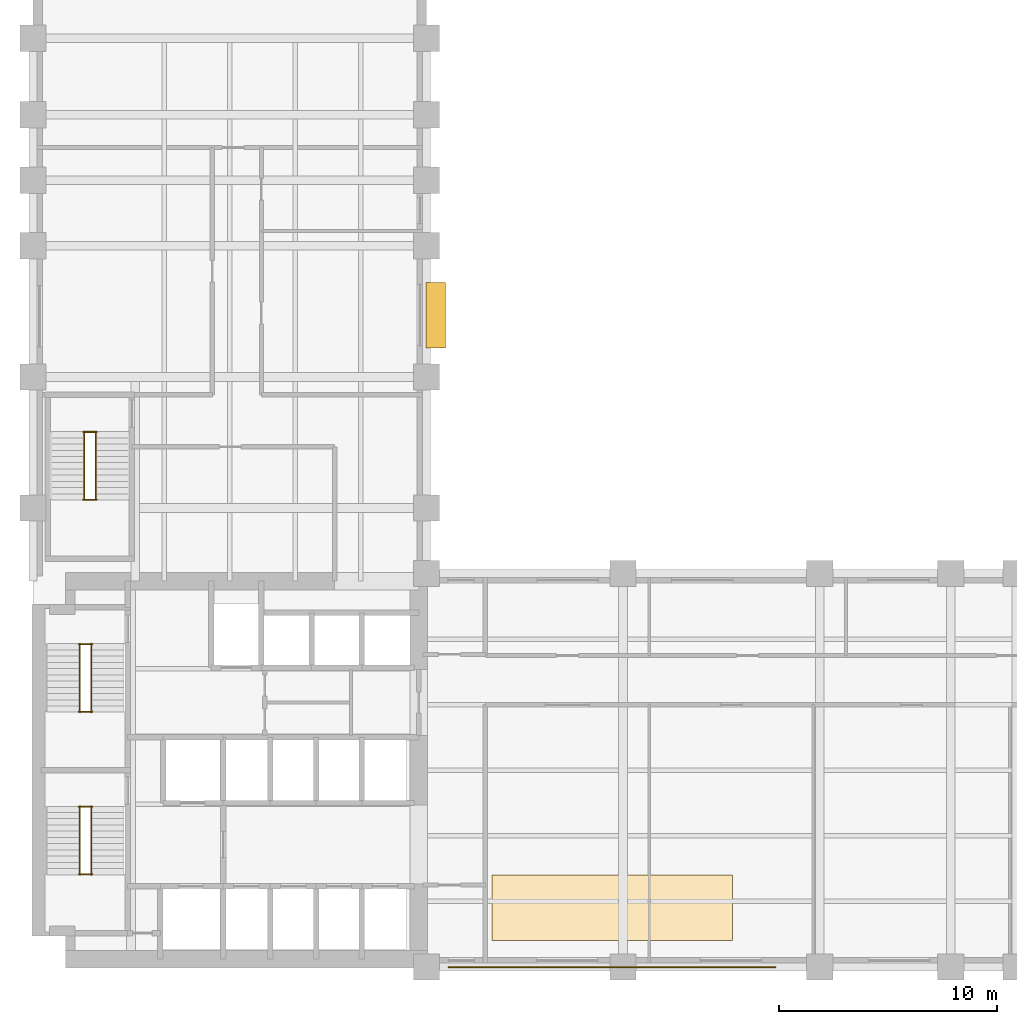
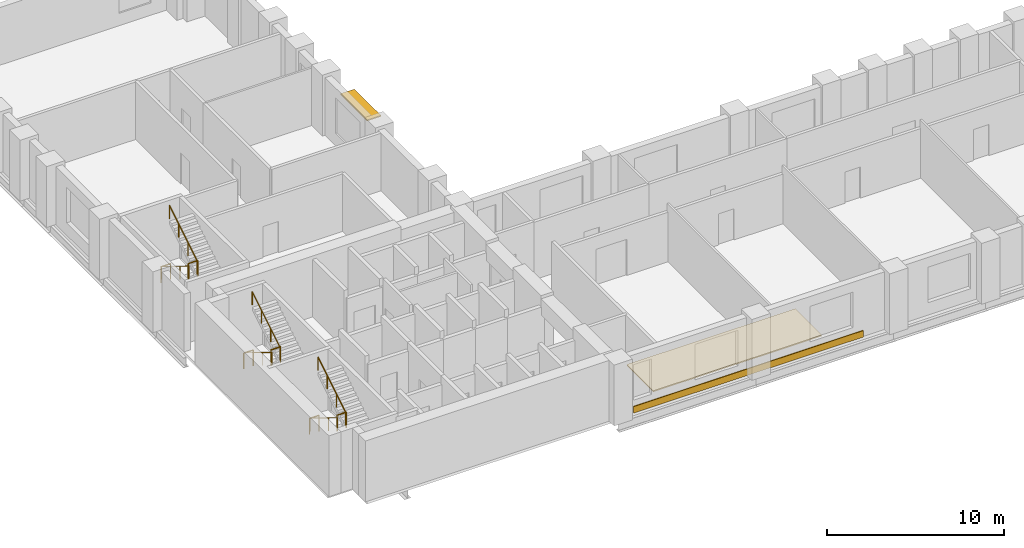
# One storey, part 7 of 8: 12 railings, 2 coverings, 1 shading device.
"""IFC4 building model written with IfcOpenShell, lengths in metres."""

from ifc_helpers import new_model, si_unit, direction, frame, origin, origin_2d, place, context, subcontext, project, spatial, polyline, rectangle, circle, outline, extrude, material, layer, layer_set, type_object, element, save


model = new_model("IFC4")

# Units and contexts
model_context = context("Model", 3, precision=1e-05, world=origin(), true_north=direction((0.0, 1.0)))
body_context = subcontext(model_context, "Body", "Model", "MODEL_VIEW")
ifc_project = project(units=[si_unit("LENGTHUNIT", "METRE"), si_unit("AREAUNIT", "SQUARE_METRE"), si_unit("VOLUMEUNIT", "CUBIC_METRE"), si_unit("PLANEANGLEUNIT", "RADIAN"), si_unit("MASSUNIT", "GRAM", prefix="KILO")], contexts=[model_context])

# Site, building, storey
site_placement = place(None, origin())
site = spatial("IfcSite", under=ifc_project, at=site_placement, CompositionType="ELEMENT")
building_placement = place(site_placement, origin())
building = spatial("IfcBuilding", under=site, at=building_placement, Name="Mawjdan Bourse Tower", CompositionType="ELEMENT")
storey_placement = place(building_placement, frame((0.0, 0.0, 63.60009765625)))
storey = spatial("IfcBuildingStorey", under=building, at=storey_placement, Name="L14", CompositionType="ELEMENT", Elevation=63.60009765625)

# Coverings
ifc_material_1 = material(Name="Honed Qatari Limestone Coping", Category="masonry")
ifc_layer_1 = layer(ifc_material_1, 0.054931640625)
ifc_layer_set_1 = layer_set([ifc_layer_1], Name="Honed Qatari Limestone Coping")
covering_type_1 = type_object("IfcCoveringType", Name="COV-CLD-SPN", PredefinedType="CLADDING", material=ifc_layer_set_1)
covering_1_placement = place(storey_placement, origin())
element("IfcCovering", 1, at=covering_1_placement, inside=storey, type_object=covering_type_1, Name="L14 Limestone Spandrel Coping Trim", PredefinedType="CLADDING", context=body_context, shape_type="SweptSolid", body=[
    extrude(outline(polyline([(25.0, 2.949951171875), (40.0, 2.949951171875), (40.0, 3.010009765625), (25.0, 3.010009765625), (25.0, 2.949951171875)])), origin(), (0.0, 0.0, 1.0), 0.449951171875),
])
ifc_material_2 = material(Name="Calcium Sulphate Antistatic Raised Floor Tile")
ifc_layer_2 = layer(ifc_material_2, 0.080078125)
ifc_layer_set_2 = layer_set([ifc_layer_2], Name="Calcium Sulphate Antistatic Raised Floor Tile")
covering_type_2 = type_object("IfcCoveringType", Name="COV-FLR-450", PredefinedType="FLOORING", material=ifc_layer_set_2)
covering_2_placement = place(storey_placement, origin())
element("IfcCovering", 2, at=covering_2_placement, inside=storey, type_object=covering_type_2, Name="L14 Antistatic Raised Access Trading Floor", PredefinedType="FLOORING", context=body_context, shape_type="SweptSolid", body=[
    extrude(outline(polyline([(27.0, 4.199951171875), (38.0, 4.199951171875), (38.0, 7.199951171875), (27.0, 7.199951171875), (27.0, 4.199951171875)])), origin(), (0.0, 0.0, 1.0), 0.079833984375),
])

# Railings
ifc_material_3 = material(Name="Structural Steel S355", Category="steel")
railing_type_1 = type_object("IfcRailingType", Name="RLG-GRD-1100", PredefinedType="GUARDRAIL", material=ifc_material_3)
for number, where, name in (
    (3, (8.090087890625, 7.235107421875, 2.099853515625), "L14 ST1 Landing Guardrail GL-MID"),
    (4, (8.090087890625, 10.330078125, 0.0), "L14 ST1 Landing Guardrail GL-BOT"),
    (5, (8.090087890625, 14.675048828125, 2.099853515625), "L14 ST2 Landing Guardrail GL-MID"),
    (6, (8.090087890625, 17.77001953125, 0.0), "L14 ST2 Landing Guardrail GL-BOT"),
    (7, (8.2900390625, 24.385009765625, 2.099853515625), "L14 ST3 Landing Guardrail GL-MID"),
    (8, (8.2900390625, 27.47998046875, 0.0), "L14 ST3 Landing Guardrail GL-BOT"),
):
    element("IfcRailing", number, at=place(storey_placement, frame(where)), inside=storey, type_object=railing_type_1, Name=name, PredefinedType="GUARDRAIL", context=body_context, shape_type="SweptSolid", body=[
        extrude(circle(Radius=0.02490234375, at=origin_2d()), frame((0.0, 0.0, 1.0751953125), z_axis=(1.0, 0.0, 0.0), x_axis=(0.0, 1.0, 0.0)), (0.0, 0.0, 1.0), 0.619873046875),
        extrude(circle(Radius=0.02099609375, at=origin_2d()), origin(), (0.0, 0.0, 1.0), 1.050048828125),
        extrude(circle(Radius=0.02099609375, at=origin_2d()), frame((0.619873046875, 0.0, 0.0)), (0.0, 0.0, 1.0), 1.050048828125),
    ])
ifc_material_4 = material(Name="Brushed Stainless Steel", Category="steel")
railing_type_2 = type_object("IfcRailingType", Name="RLG-HND-920", PredefinedType="HANDRAIL", material=ifc_material_4)
railing_1_placement = place(storey_placement, frame((8.139892578125, 10.35009765625, 0.1748046875)))
element("IfcRailing", 9, at=railing_1_placement, inside=storey, type_object=railing_type_2, Name="L14 ST1 Flight Handrail HR1", PredefinedType="HANDRAIL", context=body_context, shape_type="SweptSolid", body=[
    extrude(circle(Radius=0.0224609375, at=origin_2d()), frame((0.0, 0.0, 0.8974609375), z_axis=(0.0, -0.852166034122, 0.523271488128), x_axis=(1.0, 0.0, 0.0)), (0.0, 0.0, 1.0), 3.678955078125),
    extrude(circle(Radius=0.01904296875, at=origin_2d()), origin(), (0.0, 0.0, 1.0), 0.875),
    extrude(circle(Radius=0.01904296875, at=origin_2d()), frame((0.0, -1.044921875, 0.6416015625)), (0.0, 0.0, 1.0), 0.875),
    extrude(circle(Radius=0.01904296875, at=origin_2d()), frame((0.0, -2.090087890625, 1.283447265625)), (0.0, 0.0, 1.0), 0.875),
    extrude(circle(Radius=0.01904296875, at=origin_2d()), frame((0.0, -3.135009765625, 1.925048828125)), (0.0, 0.0, 1.0), 0.875),
])
railing_2_placement = place(storey_placement, frame((8.659912109375, 7.215087890625, 2.27490234375)))
element("IfcRailing", 10, at=railing_2_placement, inside=storey, type_object=railing_type_2, Name="L14 ST1 Flight Handrail HR2", PredefinedType="HANDRAIL", context=body_context, shape_type="SweptSolid", body=[
    extrude(circle(Radius=0.0224609375, at=origin_2d()), frame((0.0, 0.0, 0.8974609375), z_axis=(0.0, 0.852166034122, 0.523271488128), x_axis=(-1.0, 0.0, 0.0)), (0.0, 0.0, 1.0), 3.678955078125),
    extrude(circle(Radius=0.01904296875, at=origin_2d()), origin(), (0.0, 0.0, 1.0), 0.875),
    extrude(circle(Radius=0.01904296875, at=origin_2d()), frame((0.0, 1.044921875, 0.6416015625)), (0.0, 0.0, 1.0), 0.875),
    extrude(circle(Radius=0.01904296875, at=origin_2d()), frame((0.0, 2.090087890625, 1.283447265625)), (0.0, 0.0, 1.0), 0.875),
    extrude(circle(Radius=0.01904296875, at=origin_2d()), frame((0.0, 3.135009765625, 1.925048828125)), (0.0, 0.0, 1.0), 0.875),
])
railing_3_placement = place(storey_placement, frame((8.139892578125, 17.7900390625, 0.1748046875)))
element("IfcRailing", 11, at=railing_3_placement, inside=storey, type_object=railing_type_2, Name="L14 ST2 Flight Handrail HR1", PredefinedType="HANDRAIL", context=body_context, shape_type="SweptSolid", body=[
    extrude(circle(Radius=0.0224609375, at=origin_2d()), frame((0.0, 0.0, 0.8974609375), z_axis=(0.0, -0.852166034122, 0.523271488128), x_axis=(1.0, 0.0, 0.0)), (0.0, 0.0, 1.0), 3.678955078125),
    extrude(circle(Radius=0.01904296875, at=origin_2d()), origin(), (0.0, 0.0, 1.0), 0.875),
    extrude(circle(Radius=0.01904296875, at=origin_2d()), frame((0.0, -1.044921875, 0.6416015625)), (0.0, 0.0, 1.0), 0.875),
    extrude(circle(Radius=0.01904296875, at=origin_2d()), frame((0.0, -2.090087890625, 1.283447265625)), (0.0, 0.0, 1.0), 0.875),
    extrude(circle(Radius=0.01904296875, at=origin_2d()), frame((0.0, -3.135009765625, 1.925048828125)), (0.0, 0.0, 1.0), 0.875),
])
railing_4_placement = place(storey_placement, frame((8.659912109375, 14.655029296875, 2.27490234375)))
element("IfcRailing", 12, at=railing_4_placement, inside=storey, type_object=railing_type_2, Name="L14 ST2 Flight Handrail HR2", PredefinedType="HANDRAIL", context=body_context, shape_type="SweptSolid", body=[
    extrude(circle(Radius=0.0224609375, at=origin_2d()), frame((0.0, 0.0, 0.8974609375), z_axis=(0.0, 0.852166034122, 0.523271488128), x_axis=(-1.0, 0.0, 0.0)), (0.0, 0.0, 1.0), 3.678955078125),
    extrude(circle(Radius=0.01904296875, at=origin_2d()), origin(), (0.0, 0.0, 1.0), 0.875),
    extrude(circle(Radius=0.01904296875, at=origin_2d()), frame((0.0, 1.044921875, 0.6416015625)), (0.0, 0.0, 1.0), 0.875),
    extrude(circle(Radius=0.01904296875, at=origin_2d()), frame((0.0, 2.090087890625, 1.283447265625)), (0.0, 0.0, 1.0), 0.875),
    extrude(circle(Radius=0.01904296875, at=origin_2d()), frame((0.0, 3.135009765625, 1.925048828125)), (0.0, 0.0, 1.0), 0.875),
])
railing_5_placement = place(storey_placement, frame((8.340087890625, 27.5, 0.1748046875)))
element("IfcRailing", 13, at=railing_5_placement, inside=storey, type_object=railing_type_2, Name="L14 ST3 Flight Handrail HR1", PredefinedType="HANDRAIL", context=body_context, shape_type="SweptSolid", body=[
    extrude(circle(Radius=0.0224609375, at=origin_2d()), frame((0.0, 0.0, 0.8974609375), z_axis=(0.0, -0.852166034122, 0.523271488128), x_axis=(1.0, 0.0, 0.0)), (0.0, 0.0, 1.0), 3.678955078125),
    extrude(circle(Radius=0.01904296875, at=origin_2d()), origin(), (0.0, 0.0, 1.0), 0.875),
    extrude(circle(Radius=0.01904296875, at=origin_2d()), frame((0.0, -1.044921875, 0.6416015625)), (0.0, 0.0, 1.0), 0.875),
    extrude(circle(Radius=0.01904296875, at=origin_2d()), frame((0.0, -2.090087890625, 1.283447265625)), (0.0, 0.0, 1.0), 0.875),
    extrude(circle(Radius=0.01904296875, at=origin_2d()), frame((0.0, -3.135009765625, 1.925048828125)), (0.0, 0.0, 1.0), 0.875),
])
railing_6_placement = place(storey_placement, frame((8.860107421875, 24.364990234375, 2.27490234375)))
element("IfcRailing", 14, at=railing_6_placement, inside=storey, type_object=railing_type_2, Name="L14 ST3 Flight Handrail HR2", PredefinedType="HANDRAIL", context=body_context, shape_type="SweptSolid", body=[
    extrude(circle(Radius=0.0224609375, at=origin_2d()), frame((0.0, 0.0, 0.8974609375), z_axis=(0.0, 0.852166034122, 0.523271488128), x_axis=(-1.0, 0.0, 0.0)), (0.0, 0.0, 1.0), 3.678955078125),
    extrude(circle(Radius=0.01904296875, at=origin_2d()), origin(), (0.0, 0.0, 1.0), 0.875),
    extrude(circle(Radius=0.01904296875, at=origin_2d()), frame((0.0, 1.044921875, 0.6416015625)), (0.0, 0.0, 1.0), 0.875),
    extrude(circle(Radius=0.01904296875, at=origin_2d()), frame((0.0, 2.090087890625, 1.283447265625)), (0.0, 0.0, 1.0), 0.875),
    extrude(circle(Radius=0.01904296875, at=origin_2d()), frame((0.0, 3.135009765625, 1.925048828125)), (0.0, 0.0, 1.0), 0.875),
])

# Shading device
ifc_material_5 = material(Name="Bronze Anodised Aluminium", Category="aluminium")
ifc_layer_3 = layer(ifc_material_5, 0.0849609375)
ifc_layer_set_3 = layer_set([ifc_layer_3], Name="Bronze Anodised Aluminium")
shading_device_type = type_object("IfcShadingDeviceType", Name="SHD-SUN-900", PredefinedType="USERDEFINED", material=ifc_layer_set_3)
shading_device_placement = place(storey_placement, frame((24.429931640625, 32.833251953125, 3.2998046875), z_axis=(0.0, 0.0, 1.0), x_axis=(0.0, 1.0, 0.0)))
element("IfcShadingDevice", 15, at=shading_device_placement, inside=storey, type_object=shading_device_type, Name="L14 Solar Window Hood 04", ObjectType="SUNSHADE", PredefinedType="USERDEFINED", context=body_context, shape_type="SweptSolid", body=[
    extrude(rectangle(XDim=3.0, YDim=0.89990234375, at=origin_2d()), origin(), (0.0, 0.0, 1.0), 0.0849609375),
])

save(model, "model.ifc")
